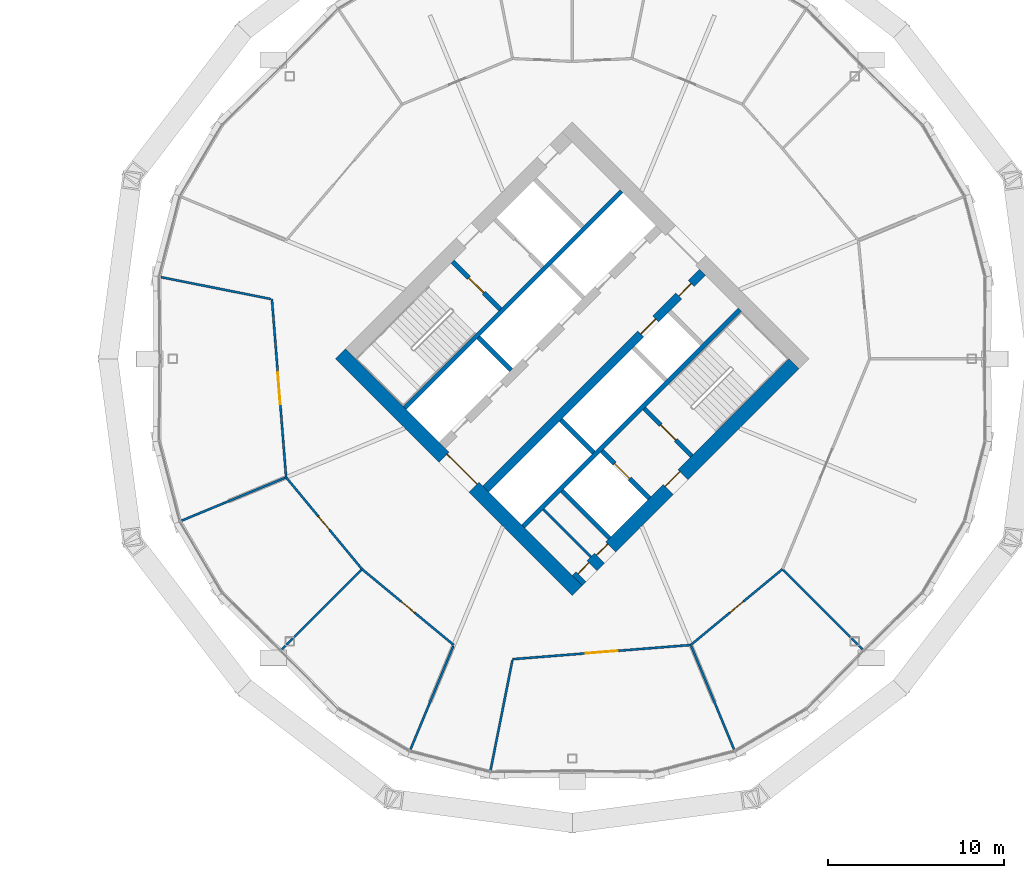
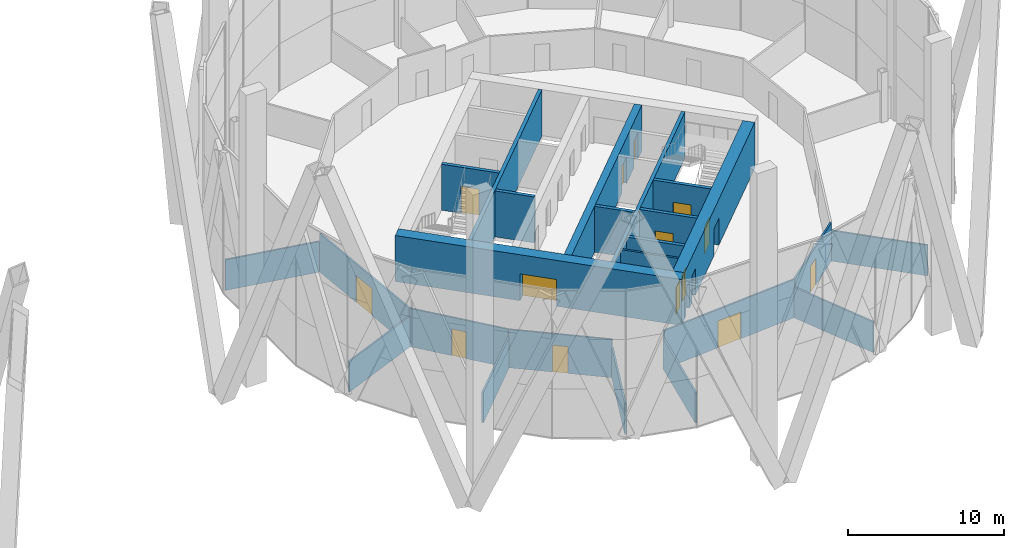
# One storey, part 21 of 26: 24 walls, 14 doors, 14 openings.
"""IFC4 building model written with IfcOpenShell, lengths in metres."""

from ifc_helpers import new_model, si_unit, direction, frame, frame_2d, origin, place, context, subcontext, project, spatial, rectangle, extrude, material, layer, layer_set, type_object, element, fill, save


model = new_model("IFC4")

# Units and contexts
model_context = context("Model", 3, precision=1e-05, world=origin(), true_north=direction((0.0, 1.0)))
body_context = subcontext(model_context, "Body", "Model", "MODEL_VIEW")
ifc_project = project(units=[si_unit("LENGTHUNIT", "METRE"), si_unit("AREAUNIT", "SQUARE_METRE"), si_unit("VOLUMEUNIT", "CUBIC_METRE"), si_unit("PLANEANGLEUNIT", "RADIAN"), si_unit("MASSUNIT", "GRAM", prefix="KILO")], contexts=[model_context])

# Site, building, storey
site_placement = place(None, origin())
site = spatial("IfcSite", under=ifc_project, at=site_placement, CompositionType="ELEMENT")
building_placement = place(site_placement, origin())
building = spatial("IfcBuilding", under=site, at=building_placement, Name="Ogive Gate Towers", CompositionType="ELEMENT")
storey_placement = place(building_placement, frame((0.0, 0.0, 76.199951171875)))
storey = spatial("IfcBuildingStorey", under=building, at=storey_placement, Name="L17", CompositionType="ELEMENT", Elevation=76.199951171875)

# Wall, openings, doors
ifc_material_1 = material(Name="Concrete C60/75", Category="concrete")
ifc_layer_1 = layer(ifc_material_1, 0.800048828125)
ifc_layer_set_1 = layer_set([ifc_layer_1], Name="Core wall 800 mm")
wall_type_1 = type_object("IfcWallType", Name="Core wall 800 mm", PredefinedType="SHEAR", material=ifc_layer_set_1)
wall_1_placement = place(storey_placement, frame((36.28271484375, -12.58642578125, 0.0), z_axis=(0.0, 0.0, 1.0), x_axis=(0.707106781187, 0.707106781187, 0.0)))
wall_1 = element("IfcWall", 1, at=wall_1_placement, inside=storey, type_object=wall_type_1, Name="T2 L17 Core wall 800 mm", PredefinedType="SHEAR", context=body_context, shape_type="SweptSolid", body=[
    extrude(rectangle(XDim=17.400146484375, YDim=0.800048828125, at=frame_2d((8.7001953125, 0.0))), origin(), (0.0, 0.0, 1.0), 3.60009765625),
])
opening_1_placement = place(wall_1_placement, frame((7.300048828125, 0.0, 0.0)))
opening_1 = element("IfcOpeningElement", 2, at=opening_1_placement, cuts=wall_1, Name="Opening KD-T2-L17-16", PredefinedType="OPENING", context=body_context, shape_type="SweptSolid", body=[
    extrude(rectangle(XDim=1.199951171875, YDim=2.10009765625, at=frame_2d((0.60009765625, 1.050048828125))), frame((0.0, 0.41015625, 0.0), z_axis=(0.0, -1.0, 0.0), x_axis=(1.0, 0.0, 0.0)), (0.0, 0.0, 1.0), 0.820068359375),
])
opening_2_placement = place(wall_1_placement, frame((0.300048828125, 0.0, 0.0)))
opening_2 = element("IfcOpeningElement", 3, at=opening_2_placement, cuts=wall_1, Name="Opening KD-T2-L17-18", PredefinedType="OPENING", context=body_context, shape_type="SweptSolid", body=[
    extrude(rectangle(XDim=0.89990234375, YDim=2.10009765625, at=frame_2d((0.449951171875, 1.050048828125))), frame((0.0, 0.41015625, 0.0), z_axis=(0.0, -1.0, 0.0), x_axis=(1.0, 0.0, 0.0)), (0.0, 0.0, 1.0), 0.820068359375),
])
opening_3_placement = place(wall_1_placement, frame((1.800048828125, 0.0, 0.0)))
opening_3 = element("IfcOpeningElement", 4, at=opening_3_placement, cuts=wall_1, Name="Opening KD-T2-L17-19", PredefinedType="OPENING", context=body_context, shape_type="SweptSolid", body=[
    extrude(rectangle(XDim=0.89990234375, YDim=2.10009765625, at=frame_2d((0.449951171875, 1.050048828125))), frame((0.0, 0.41015625, 0.0), z_axis=(0.0, -1.0, 0.0), x_axis=(1.0, 0.0, 0.0)), (0.0, 0.0, 1.0), 0.820068359375),
])
ifc_material_2 = material(Name="Timber door", Category="wood")
door_type_1 = type_object("IfcDoorType", Name="Core WC door 900 x 2100", OperationType="NOTDEFINED", PredefinedType="DOOR", material=ifc_material_2)
door_1_placement = place(opening_2_placement, origin())
door_1 = element("IfcDoor", 5, at=door_1_placement, inside=storey, type_object=door_type_1, Name="T2 L17 Core door", OperationType="SINGLE_SWING_LEFT", OverallHeight=2.10009765625, OverallWidth=0.89990234375, PredefinedType="DOOR", context=body_context, shape_type="SweptSolid", body=[
    extrude(rectangle(XDim=0.89990234375, YDim=2.10009765625, at=frame_2d((0.449951171875, 1.050048828125))), frame((0.0, 0.27490234375, 0.0), z_axis=(0.0, -1.0, 0.0), x_axis=(1.0, 0.0, 0.0)), (0.0, 0.0, 1.0), 0.050048828125),
])
fill(opening_2, door_1)
door_2_placement = place(opening_3_placement, origin())
door_2 = element("IfcDoor", 6, at=door_2_placement, inside=storey, type_object=door_type_1, Name="T2 L17 Core door", OperationType="SINGLE_SWING_RIGHT", OverallHeight=2.10009765625, OverallWidth=0.89990234375, PredefinedType="DOOR", context=body_context, shape_type="SweptSolid", body=[
    extrude(rectangle(XDim=0.89990234375, YDim=2.10009765625, at=frame_2d((0.449951171875, 1.050048828125))), frame((0.0, 0.27490234375, 0.0), z_axis=(0.0, -1.0, 0.0), x_axis=(1.0, 0.0, 0.0)), (0.0, 0.0, 1.0), 0.050048828125),
])
fill(opening_3, door_2)
ifc_material_3 = material(Name="Steel fire door", Category="steel")
door_type_2 = type_object("IfcDoorType", Name="Core door FD60S 1200 x 2100", OperationType="NOTDEFINED", PredefinedType="DOOR", material=ifc_material_3)
door_3_placement = place(opening_1_placement, origin())
door_3 = element("IfcDoor", 7, at=door_3_placement, inside=storey, type_object=door_type_2, Name="T2 L17 Fire-fighting lobby door", OperationType="SINGLE_SWING_LEFT", OverallHeight=2.10009765625, OverallWidth=1.199951171875, PredefinedType="DOOR", context=body_context, shape_type="SweptSolid", body=[
    extrude(rectangle(XDim=1.199951171875, YDim=2.10009765625, at=frame_2d((0.60009765625, 1.050048828125))), frame((0.0, 0.27490234375, 0.0), z_axis=(0.0, -1.0, 0.0), x_axis=(1.0, 0.0, 0.0)), (0.0, 0.0, 1.0), 0.050048828125),
])
fill(opening_1, door_3)

# Wall, opening, door
wall_2_placement = place(storey_placement, frame((36.28271484375, -13.152099609375, 0.0), z_axis=(0.0, 0.0, 1.0), x_axis=(-0.707106781187, 0.707106781187, 0.0)))
wall_2 = element("IfcWall", 8, at=wall_2_placement, inside=storey, type_object=wall_type_1, Name="T2 L17 Core wall 800 mm", PredefinedType="SHEAR", context=body_context, shape_type="SweptSolid", body=[
    extrude(rectangle(XDim=18.999755859375, YDim=0.800048828125, at=frame_2d((9.5, 0.0))), origin(), (0.0, 0.0, 1.0), 3.60009765625),
])
opening_4_placement = place(wall_2_placement, frame((8.300048828125, 0.0, 0.0)))
opening_4 = element("IfcOpeningElement", 9, at=opening_4_placement, cuts=wall_2, Name="Opening KD-T2-L17-01", PredefinedType="OPENING", context=body_context, shape_type="SweptSolid", body=[
    extrude(rectangle(XDim=2.39990234375, YDim=2.10009765625, at=frame_2d((1.199951171875, 1.050048828125))), frame((0.0, 0.41015625, 0.0), z_axis=(0.0, -1.0, 0.0), x_axis=(1.0, 0.0, 0.0)), (0.0, 0.0, 1.0), 0.820068359375),
])
door_type_3 = type_object("IfcDoorType", Name="Core double door FD60S 2400 x 2100", OperationType="DOUBLE_DOOR_SINGLE_SWING", PredefinedType="DOOR", material=ifc_material_3)
door_4_placement = place(opening_4_placement, origin())
door_4 = element("IfcDoor", 10, at=door_4_placement, inside=storey, type_object=door_type_3, Name="T2 L17 Core door double", OperationType="DOUBLE_DOOR_SINGLE_SWING", OverallHeight=2.10009765625, OverallWidth=2.39990234375, PredefinedType="DOOR", context=body_context, shape_type="SweptSolid", body=[
    extrude(rectangle(XDim=2.39990234375, YDim=2.10009765625, at=frame_2d((1.199951171875, 1.050048828125))), frame((0.0, -0.22509765625, 0.0), z_axis=(0.0, -1.0, 0.0), x_axis=(1.0, 0.0, 0.0)), (0.0, 0.0, 1.0), 0.050048828125),
])
fill(opening_4, door_4)

# Walls
ifc_material_4 = material(Name="Gypsum board partition")
ifc_layer_2 = layer(ifc_material_4, 0.125)
ifc_layer_set_2 = layer_set([ifc_layer_2], Name="Partition 125")
wall_type_2 = type_object("IfcWallType", Name="Partition 125", PredefinedType="PARTITIONING", material=ifc_layer_set_2)
wall_3_placement = place(storey_placement, frame((12.65625, 4.6357421875, 0.0), z_axis=(0.0, 0.0, 1.0), x_axis=(0.980845288953, -0.1947883958, 0.0)))
element("IfcWall", 11, at=wall_3_placement, inside=storey, type_object=wall_type_2, Name="Partition T2-L17-010", PredefinedType="PARTITIONING", context=body_context, shape_type="SweptSolid", body=[
    extrude(rectangle(XDim=6.36572265625, YDim=0.125, at=frame_2d((3.182861328125, 0.0))), origin(), (0.0, 0.0, 1.0), 2.400146484375),
])
for number, where, z_axis, x_axis, name in (
    (12, (13.826904296875, -9.184326171875, 0.0), (0.0, 0.0, 1.0), (0.923885020089, 0.382670183912, 0.0), "Partition T2-L17-011"),
    (13, (19.525146484375, -16.474853515625, 0.0), (0.0, 0.0, 1.0), (0.707106781187, 0.707106781187, 0.0), "Partition T2-L17-012"),
    (14, (26.815673828125, -22.173095703125, 0.0), (0.0, 0.0, 1.0), (0.382670183912, 0.923885020089, 0.0), "Partition T2-L17-013"),
):
    element("IfcWall", number, at=place(storey_placement, frame(where, z_axis=z_axis, x_axis=x_axis)), inside=storey, type_object=wall_type_2, Name=name, PredefinedType="PARTITIONING", context=body_context, shape_type="SweptSolid", body=[
        extrude(rectangle(XDim=6.365966796875, YDim=0.125, at=frame_2d((3.18310546875, 0.0))), origin(), (0.0, 0.0, 1.0), 2.400146484375),
    ])
wall_4_placement = place(storey_placement, frame((31.3642578125, -23.34375, 0.0), z_axis=(0.0, 0.0, 1.0), x_axis=(0.1947883958, 0.980845288953, 0.0)))
element("IfcWall", 15, at=wall_4_placement, inside=storey, type_object=wall_type_2, Name="Partition T2-L17-014", PredefinedType="PARTITIONING", context=body_context, shape_type="SweptSolid", body=[
    extrude(rectangle(XDim=6.36572265625, YDim=0.125, at=frame_2d((3.182861328125, 0.0))), origin(), (0.0, 0.0, 1.0), 2.400146484375),
])
for number, where, z_axis, x_axis, name in (
    (16, (45.184326171875, -22.173095703125, 0.0), (0.0, 0.0, 1.0), (-0.382670183912, 0.923885020089, 0.0), "Partition T2-L17-015"),
    (17, (52.474853515625, -16.474853515625, 0.0), (0.0, 0.0, 1.0), (-0.707106781187, 0.707106781187, 0.0), "Partition T2-L17-016"),
):
    element("IfcWall", number, at=place(storey_placement, frame(where, z_axis=z_axis, x_axis=x_axis)), inside=storey, type_object=wall_type_2, Name=name, PredefinedType="PARTITIONING", context=body_context, shape_type="SweptSolid", body=[
        extrude(rectangle(XDim=6.365966796875, YDim=0.125, at=frame_2d((3.18310546875, 0.0))), origin(), (0.0, 0.0, 1.0), 2.400146484375),
    ])

# Wall, opening, door
wall_5_placement = place(storey_placement, frame((18.96142578125, 3.383544921875, 0.0), z_axis=(0.0, 0.0, 1.0), x_axis=(0.079358602321, -0.996846132679, 0.0)))
wall_5 = element("IfcWall", 18, at=wall_5_placement, inside=storey, type_object=wall_type_2, Name="Partition T2-L17-017", PredefinedType="PARTITIONING", context=body_context, shape_type="SweptSolid", body=[
    extrude(rectangle(XDim=10.139892578125, YDim=0.125, at=frame_2d((5.06982421875, 0.0))), origin(), (0.0, 0.0, 1.0), 3.0),
])
opening_5_placement = place(wall_5_placement, frame((4.169921875, 0.0, 0.0)))
opening_5 = element("IfcOpeningElement", 19, at=opening_5_placement, cuts=wall_5, Name="Opening T2-L17-D01", PredefinedType="OPENING", context=body_context, shape_type="SweptSolid", body=[
    extrude(rectangle(XDim=1.800048828125, YDim=2.10009765625, at=frame_2d((0.89990234375, 1.050048828125))), frame((0.0, 0.072509765625, 0.0), z_axis=(0.0, -1.0, 0.0), x_axis=(1.0, 0.0, 0.0)), (0.0, 0.0, 1.0), 0.14501953125),
])
door_type_4 = type_object("IfcDoorType", Name="Door pair 1800", OperationType="NOTDEFINED", PredefinedType="DOOR", material=ifc_material_2)
door_5_placement = place(opening_5_placement, origin())
door_5 = element("IfcDoor", 20, at=door_5_placement, inside=storey, type_object=door_type_4, Name="Door T2-L17-D01", OperationType="DOUBLE_DOOR_DOUBLE_SWING", OverallHeight=2.10009765625, OverallWidth=1.800048828125, PredefinedType="DOOR", context=body_context, shape_type="SweptSolid", body=[
    extrude(rectangle(XDim=1.800048828125, YDim=2.10009765625, at=frame_2d((0.89990234375, 1.050048828125))), frame((0.0, 0.02490234375, 0.0), z_axis=(0.0, -1.0, 0.0), x_axis=(1.0, 0.0, 0.0)), (0.0, 0.0, 1.0), 0.050048828125),
])
fill(opening_5, door_5)

wall_6_placement = place(storey_placement, frame((19.76611328125, -6.724365234375, 0.0), z_axis=(0.0, 0.0, 1.0), x_axis=(0.63732504297, -0.77059508797, 0.0)))
wall_6 = element("IfcWall", 21, at=wall_6_placement, inside=storey, type_object=wall_type_2, Name="Partition T2-L17-018", PredefinedType="PARTITIONING", context=body_context, shape_type="SweptSolid", body=[
    extrude(rectangle(XDim=6.75439453125, YDim=0.125, at=frame_2d((3.377197265625, 0.0))), origin(), (0.0, 0.0, 1.0), 3.0),
])
opening_6_placement = place(wall_6_placement, frame((2.876953125, 0.0, 0.0)))
opening_6 = element("IfcOpeningElement", 22, at=opening_6_placement, cuts=wall_6, Name="Opening T2-L17-D02", PredefinedType="OPENING", context=body_context, shape_type="SweptSolid", body=[
    extrude(rectangle(XDim=1.0, YDim=2.10009765625, at=frame_2d((0.5, 1.050048828125))), frame((0.0, 0.072509765625, 0.0), z_axis=(0.0, -1.0, 0.0), x_axis=(1.0, 0.0, 0.0)), (0.0, 0.0, 1.0), 0.14501953125),
])
door_type_5 = type_object("IfcDoorType", Name="Door 1000", OperationType="NOTDEFINED", PredefinedType="DOOR", material=ifc_material_2)
door_6_placement = place(opening_6_placement, origin())
door_6 = element("IfcDoor", 23, at=door_6_placement, inside=storey, type_object=door_type_5, Name="Door T2-L17-D02", OperationType="SINGLE_SWING_LEFT", OverallHeight=2.10009765625, OverallWidth=1.0, PredefinedType="DOOR", context=body_context, shape_type="SweptSolid", body=[
    extrude(rectangle(XDim=1.0, YDim=2.10009765625, at=frame_2d((0.5, 1.050048828125))), frame((0.0, 0.02490234375, 0.0), z_axis=(0.0, -1.0, 0.0), x_axis=(1.0, 0.0, 0.0)), (0.0, 0.0, 1.0), 0.050048828125),
])
fill(opening_6, door_6)

wall_7_placement = place(storey_placement, frame((24.07080078125, -11.92919921875, 0.0), z_axis=(0.0, 0.0, 1.0), x_axis=(0.77059508797, -0.63732504297, 0.0)))
wall_7 = element("IfcWall", 24, at=wall_7_placement, inside=storey, type_object=wall_type_2, Name="Partition T2-L17-019", PredefinedType="PARTITIONING", context=body_context, shape_type="SweptSolid", body=[
    extrude(rectangle(XDim=6.75439453125, YDim=0.125, at=frame_2d((3.377197265625, 0.0))), origin(), (0.0, 0.0, 1.0), 3.0),
])
opening_7_placement = place(wall_7_placement, frame((2.876953125, 0.0, 0.0)))
opening_7 = element("IfcOpeningElement", 25, at=opening_7_placement, cuts=wall_7, Name="Opening T2-L17-D03", PredefinedType="OPENING", context=body_context, shape_type="SweptSolid", body=[
    extrude(rectangle(XDim=1.0, YDim=2.10009765625, at=frame_2d((0.5, 1.050048828125))), frame((0.0, 0.072509765625, 0.0), z_axis=(0.0, -1.0, 0.0), x_axis=(1.0, 0.0, 0.0)), (0.0, 0.0, 1.0), 0.14501953125),
])
door_7_placement = place(opening_7_placement, origin())
door_7 = element("IfcDoor", 26, at=door_7_placement, inside=storey, type_object=door_type_5, Name="Door T2-L17-D03", OperationType="SINGLE_SWING_LEFT", OverallHeight=2.10009765625, OverallWidth=1.0, PredefinedType="DOOR", context=body_context, shape_type="SweptSolid", body=[
    extrude(rectangle(XDim=1.0, YDim=2.10009765625, at=frame_2d((0.5, 1.050048828125))), frame((0.0, 0.02490234375, 0.0), z_axis=(0.0, -1.0, 0.0), x_axis=(1.0, 0.0, 0.0)), (0.0, 0.0, 1.0), 0.050048828125),
])
fill(opening_7, door_7)

wall_8_placement = place(storey_placement, frame((32.616455078125, -17.03857421875, 0.0), z_axis=(0.0, 0.0, 1.0), x_axis=(0.996846132679, 0.079358602321, 0.0)))
wall_8 = element("IfcWall", 27, at=wall_8_placement, inside=storey, type_object=wall_type_2, Name="Partition T2-L17-020", PredefinedType="PARTITIONING", context=body_context, shape_type="SweptSolid", body=[
    extrude(rectangle(XDim=10.139892578125, YDim=0.125, at=frame_2d((5.06982421875, 0.0))), origin(), (0.0, 0.0, 1.0), 3.0),
])
opening_8_placement = place(wall_8_placement, frame((4.169921875, 0.0, 0.0)))
opening_8 = element("IfcOpeningElement", 28, at=opening_8_placement, cuts=wall_8, Name="Opening T2-L17-D04", PredefinedType="OPENING", context=body_context, shape_type="SweptSolid", body=[
    extrude(rectangle(XDim=1.800048828125, YDim=2.10009765625, at=frame_2d((0.89990234375, 1.050048828125))), frame((0.0, 0.072509765625, 0.0), z_axis=(0.0, -1.0, 0.0), x_axis=(1.0, 0.0, 0.0)), (0.0, 0.0, 1.0), 0.14501953125),
])
door_8_placement = place(opening_8_placement, origin())
door_8 = element("IfcDoor", 29, at=door_8_placement, inside=storey, type_object=door_type_4, Name="Door T2-L17-D04", OperationType="DOUBLE_DOOR_DOUBLE_SWING", OverallHeight=2.10009765625, OverallWidth=1.800048828125, PredefinedType="DOOR", context=body_context, shape_type="SweptSolid", body=[
    extrude(rectangle(XDim=1.800048828125, YDim=2.10009765625, at=frame_2d((0.89990234375, 1.050048828125))), frame((0.0, 0.02490234375, 0.0), z_axis=(0.0, -1.0, 0.0), x_axis=(1.0, 0.0, 0.0)), (0.0, 0.0, 1.0), 0.050048828125),
])
fill(opening_8, door_8)

wall_9_placement = place(storey_placement, frame((42.724365234375, -16.23388671875, 0.0), z_axis=(0.0, 0.0, 1.0), x_axis=(0.77059508797, 0.63732504297, 0.0)))
wall_9 = element("IfcWall", 30, at=wall_9_placement, inside=storey, type_object=wall_type_2, Name="Partition T2-L17-021", PredefinedType="PARTITIONING", context=body_context, shape_type="SweptSolid", body=[
    extrude(rectangle(XDim=6.75439453125, YDim=0.125, at=frame_2d((3.377197265625, 0.0))), origin(), (0.0, 0.0, 1.0), 3.0),
])
opening_9_placement = place(wall_9_placement, frame((2.876953125, 0.0, 0.0)))
opening_9 = element("IfcOpeningElement", 31, at=opening_9_placement, cuts=wall_9, Name="Opening T2-L17-D05", PredefinedType="OPENING", context=body_context, shape_type="SweptSolid", body=[
    extrude(rectangle(XDim=1.0, YDim=2.10009765625, at=frame_2d((0.5, 1.050048828125))), frame((0.0, 0.072509765625, 0.0), z_axis=(0.0, -1.0, 0.0), x_axis=(1.0, 0.0, 0.0)), (0.0, 0.0, 1.0), 0.14501953125),
])
door_9_placement = place(opening_9_placement, origin())
door_9 = element("IfcDoor", 32, at=door_9_placement, inside=storey, type_object=door_type_5, Name="Door T2-L17-D05", OperationType="SINGLE_SWING_RIGHT", OverallHeight=2.10009765625, OverallWidth=1.0, PredefinedType="DOOR", context=body_context, shape_type="SweptSolid", body=[
    extrude(rectangle(XDim=1.0, YDim=2.10009765625, at=frame_2d((0.5, 1.050048828125))), frame((0.0, 0.02490234375, 0.0), z_axis=(0.0, -1.0, 0.0), x_axis=(1.0, 0.0, 0.0)), (0.0, 0.0, 1.0), 0.050048828125),
])
fill(opening_9, door_9)

# Walls
ifc_layer_3 = layer(ifc_material_4, 0.14990234375)
ifc_layer_set_3 = layer_set([ifc_layer_3], Name="Room partition 150 mm")
wall_type_3 = type_object("IfcWallType", Name="Room partition 150 mm", PredefinedType="PARTITIONING", material=ifc_layer_set_3)
wall_10_placement = place(storey_placement, frame((37.060791015625, -11.242919921875, 0.0), z_axis=(0.0, 0.0, 1.0), x_axis=(-0.707138693938, 0.707074866995, 0.0)))
element("IfcWall", 33, at=wall_10_placement, inside=storey, type_object=wall_type_3, Name="T2 L17 Room partition 150 mm", PredefinedType="PARTITIONING", context=body_context, shape_type="SweptSolid", body=[
    extrude(rectangle(XDim=3.824951171875, YDim=0.14990234375, at=frame_2d((1.91259765625, 0.0))), origin(), (0.0, 0.0, 1.0), 3.60009765625),
])
ifc_layer_4 = layer(ifc_material_1, 0.25)
ifc_layer_set_4 = layer_set([ifc_layer_4], Name="Shaft wall 250 mm")
wall_type_4 = type_object("IfcWallType", Name="Shaft wall 250 mm", PredefinedType="SHEAR", material=ifc_layer_set_4)
for number, where, z_axis, x_axis, name in (
    (34, (33.206787109375, -9.510498046875, 0.0), (0.0, 0.0, 1.0), (0.707106781187, 0.707106781187, 0.0), "T2 L17 Shaft wall 250 mm"),
    (35, (26.489501953125, -2.793212890625, 0.0), (0.0, 0.0, 1.0), (0.707106781187, 0.707106781187, 0.0), "T2 L17 Shaft wall 250 mm"),
):
    element("IfcWall", number, at=place(storey_placement, frame(where, z_axis=z_axis, x_axis=x_axis)), inside=storey, type_object=wall_type_4, Name=name, PredefinedType="SHEAR", context=body_context, shape_type="SweptSolid", body=[
        extrude(rectangle(XDim=17.400146484375, YDim=0.25, at=frame_2d((8.7001953125, 0.0))), origin(), (0.0, 0.0, 1.0), 3.60009765625),
    ])
wall_11_placement = place(storey_placement, frame((38.121337890625, -10.182373046875, 0.0), z_axis=(0.0, 0.0, 1.0), x_axis=(-0.707138693938, 0.707074866995, 0.0)))
element("IfcWall", 36, at=wall_11_placement, inside=storey, type_object=wall_type_4, Name="T2 L17 Shaft wall 250 mm", PredefinedType="SHEAR", context=body_context, shape_type="SweptSolid", body=[
    extrude(rectangle(XDim=3.824951171875, YDim=0.25, at=frame_2d((1.91259765625, 0.0))), origin(), (0.0, 0.0, 1.0), 3.60009765625),
])
for number, where, z_axis, x_axis, name in (
    (37, (37.2197265625, -5.321044921875, 0.0), (0.0, 0.0, 1.0), (-0.707106781187, 0.707106781187, 0.0), "T2 L17 Shaft wall 250 mm"),
    (38, (32.53515625, -0.636474609375, 0.0), (0.0, 0.0, 1.0), (-0.707106781187, 0.707106781187, 0.0), "T2 L17 Shaft wall 250 mm"),
):
    element("IfcWall", number, at=place(storey_placement, frame(where, z_axis=z_axis, x_axis=x_axis)), inside=storey, type_object=wall_type_4, Name=name, PredefinedType="SHEAR", context=body_context, shape_type="SweptSolid", body=[
        extrude(rectangle(XDim=2.625, YDim=0.25, at=frame_2d((1.3125, 0.0))), origin(), (0.0, 0.0, 1.0), 3.60009765625),
    ])

# Wall, opening, door
wall_12_placement = place(storey_placement, frame((40.384033203125, -7.919677734375, 0.0), z_axis=(0.0, 0.0, 1.0), x_axis=(-0.707074866995, 0.707138693938, 0.0)))
wall_12 = element("IfcWall", 39, at=wall_12_placement, inside=storey, type_object=wall_type_4, Name="T2 L17 Shaft wall 250 mm", PredefinedType="SHEAR", context=body_context, shape_type="SweptSolid", body=[
    extrude(rectangle(XDim=3.824951171875, YDim=0.25, at=frame_2d((1.91259765625, 0.0))), origin(), (0.0, 0.0, 1.0), 3.60009765625),
])
opening_10_placement = place(wall_12_placement, frame((1.60009765625, 0.0, 0.0)))
opening_10 = element("IfcOpeningElement", 40, at=opening_10_placement, cuts=wall_12, Name="Opening LD-T2-L17-11", PredefinedType="OPENING", context=body_context, shape_type="SweptSolid", body=[
    extrude(rectangle(XDim=1.199951171875, YDim=2.10009765625, at=frame_2d((0.60009765625, 1.050048828125))), frame((0.0, 0.135009765625, 0.0), z_axis=(0.0, -1.0, 0.0), x_axis=(1.0, 0.0, 0.0)), (0.0, 0.0, 1.0), 0.27001953125),
])
ifc_material_5 = material(Name="Stainless steel landing door", Category="steel")
door_type_6 = type_object("IfcDoorType", Name="Landing door 1200 x 2100", OperationType="SLIDING_TO_LEFT", PredefinedType="DOOR", material=ifc_material_5)
door_10_placement = place(opening_10_placement, origin())
door_10 = element("IfcDoor", 41, at=door_10_placement, inside=storey, type_object=door_type_6, Name="T2 L17 Lift landing door FF2", OperationType="SLIDING_TO_LEFT", OverallHeight=2.10009765625, OverallWidth=1.199951171875, PredefinedType="DOOR", context=body_context, shape_type="SweptSolid", body=[
    extrude(rectangle(XDim=1.199951171875, YDim=2.10009765625, at=frame_2d((0.60009765625, 1.050048828125))), frame((0.0, 0.02490234375, 0.0), z_axis=(0.0, -1.0, 0.0), x_axis=(1.0, 0.0, 0.0)), (0.0, 0.0, 1.0), 0.050048828125),
])
fill(opening_10, door_10)

wall_13_placement = place(storey_placement, frame((31.91650390625, 2.810791015625, 0.0), z_axis=(0.0, 0.0, 1.0), x_axis=(-0.707106781187, 0.707106781187, 0.0)))
wall_13 = element("IfcWall", 42, at=wall_13_placement, inside=storey, type_object=wall_type_4, Name="T2 L17 Shaft wall 250 mm", PredefinedType="SHEAR", context=body_context, shape_type="SweptSolid", body=[
    extrude(rectangle(XDim=3.824951171875, YDim=0.25, at=frame_2d((1.91259765625, 0.0))), origin(), (0.0, 0.0, 1.0), 3.60009765625),
])
opening_11_placement = place(wall_13_placement, frame((1.324951171875, 0.0, 0.0)))
opening_11 = element("IfcOpeningElement", 43, at=opening_11_placement, cuts=wall_13, Name="Opening KD-T2-L17-13", PredefinedType="OPENING", context=body_context, shape_type="SweptSolid", body=[
    extrude(rectangle(XDim=1.199951171875, YDim=2.10009765625, at=frame_2d((0.60009765625, 1.050048828125))), frame((0.0, 0.135009765625, 0.0), z_axis=(0.0, -1.0, 0.0), x_axis=(1.0, 0.0, 0.0)), (0.0, 0.0, 1.0), 0.27001953125),
])
door_11_placement = place(opening_11_placement, origin())
door_11 = element("IfcDoor", 44, at=door_11_placement, inside=storey, type_object=door_type_2, Name="T2 L17 Stair door", OperationType="SINGLE_SWING_RIGHT", OverallHeight=2.10009765625, OverallWidth=1.199951171875, PredefinedType="DOOR", context=body_context, shape_type="SweptSolid", body=[
    extrude(rectangle(XDim=1.199951171875, YDim=2.10009765625, at=frame_2d((0.60009765625, 1.050048828125))), frame((0.0, 0.02490234375, 0.0), z_axis=(0.0, -1.0, 0.0), x_axis=(1.0, 0.0, 0.0)), (0.0, 0.0, 1.0), 0.050048828125),
])
fill(opening_11, door_11)

wall_14_placement = place(storey_placement, frame((42.7880859375, -5.515380859375, 0.0), z_axis=(0.0, 0.0, 1.0), x_axis=(-0.707106781187, 0.707106781187, 0.0)))
wall_14 = element("IfcWall", 45, at=wall_14_placement, inside=storey, type_object=wall_type_4, Name="T2 L17 Shaft wall 250 mm", PredefinedType="SHEAR", context=body_context, shape_type="SweptSolid", body=[
    extrude(rectangle(XDim=3.824951171875, YDim=0.25, at=frame_2d((1.91259765625, 0.0))), origin(), (0.0, 0.0, 1.0), 3.60009765625),
])
opening_12_placement = place(wall_14_placement, frame((1.300048828125, 0.0, 0.0)))
opening_12 = element("IfcOpeningElement", 46, at=opening_12_placement, cuts=wall_14, Name="Opening KD-T2-L17-14", PredefinedType="OPENING", context=body_context, shape_type="SweptSolid", body=[
    extrude(rectangle(XDim=1.199951171875, YDim=2.10009765625, at=frame_2d((0.60009765625, 1.050048828125))), frame((0.0, 0.135009765625, 0.0), z_axis=(0.0, -1.0, 0.0), x_axis=(1.0, 0.0, 0.0)), (0.0, 0.0, 1.0), 0.27001953125),
])
door_12_placement = place(opening_12_placement, origin())
door_12 = element("IfcDoor", 47, at=door_12_placement, inside=storey, type_object=door_type_2, Name="T2 L17 Stair door", OperationType="SINGLE_SWING_LEFT", OverallHeight=2.10009765625, OverallWidth=1.199951171875, PredefinedType="DOOR", context=body_context, shape_type="SweptSolid", body=[
    extrude(rectangle(XDim=1.199951171875, YDim=2.10009765625, at=frame_2d((0.60009765625, 1.050048828125))), frame((0.0, 0.02490234375, 0.0), z_axis=(0.0, -1.0, 0.0), x_axis=(1.0, 0.0, 0.0)), (0.0, 0.0, 1.0), 0.050048828125),
])
fill(opening_12, door_12)

# Wall, openings, doors
ifc_layer_5 = layer(ifc_material_1, 0.5)
ifc_layer_set_5 = layer_set([ifc_layer_5], Name="Spine wall 500 mm")
wall_type_5 = type_object("IfcWallType", Name="Spine wall 500 mm", PredefinedType="SHEAR", material=ifc_layer_set_5)
wall_15_placement = place(storey_placement, frame((31.085693359375, -7.389404296875, 0.0), z_axis=(0.0, 0.0, 1.0), x_axis=(0.707106781187, 0.707106781187, 0.0)))
wall_15 = element("IfcWall", 48, at=wall_15_placement, inside=storey, type_object=wall_type_5, Name="T2 L17 Spine wall 500 mm", PredefinedType="SHEAR", context=body_context, shape_type="SweptSolid", body=[
    extrude(rectangle(XDim=17.400146484375, YDim=0.5, at=frame_2d((8.7001953125, 0.0))), origin(), (0.0, 0.0, 1.0), 3.60009765625),
])
opening_13_placement = place(wall_15_placement, frame((12.449951171875, 0.0, 0.0)))
opening_13 = element("IfcOpeningElement", 49, at=opening_13_placement, cuts=wall_15, Name="Opening LD-T2-L17-09", PredefinedType="OPENING", context=body_context, shape_type="SweptSolid", body=[
    extrude(rectangle(XDim=1.199951171875, YDim=2.10009765625, at=frame_2d((0.60009765625, 1.050048828125))), frame((0.0, 0.260009765625, 0.0), z_axis=(0.0, -1.0, 0.0), x_axis=(1.0, 0.0, 0.0)), (0.0, 0.0, 1.0), 0.52001953125),
])
opening_14_placement = place(wall_15_placement, frame((15.5, 0.0, 0.0)))
opening_14 = element("IfcOpeningElement", 50, at=opening_14_placement, cuts=wall_15, Name="Opening KD-T2-L17-12", PredefinedType="OPENING", context=body_context, shape_type="SweptSolid", body=[
    extrude(rectangle(XDim=1.0, YDim=2.10009765625, at=frame_2d((0.5, 1.050048828125))), frame((0.0, 0.260009765625, 0.0), z_axis=(0.0, -1.0, 0.0), x_axis=(1.0, 0.0, 0.0)), (0.0, 0.0, 1.0), 0.52001953125),
])
door_type_7 = type_object("IfcDoorType", Name="Core door FD60S 1000 x 2100", OperationType="NOTDEFINED", PredefinedType="DOOR", material=ifc_material_3)
door_13_placement = place(opening_14_placement, origin())
door_13 = element("IfcDoor", 51, at=door_13_placement, inside=storey, type_object=door_type_7, Name="T2 L17 Core door", OperationType="SINGLE_SWING_LEFT", OverallHeight=2.10009765625, OverallWidth=1.0, PredefinedType="DOOR", context=body_context, shape_type="SweptSolid", body=[
    extrude(rectangle(XDim=1.0, YDim=2.10009765625, at=frame_2d((0.5, 1.050048828125))), frame((0.0, 0.02490234375, 0.0), z_axis=(0.0, -1.0, 0.0), x_axis=(1.0, 0.0, 0.0)), (0.0, 0.0, 1.0), 0.050048828125),
])
fill(opening_14, door_13)
door_14_placement = place(opening_13_placement, origin())
door_14 = element("IfcDoor", 52, at=door_14_placement, inside=storey, type_object=door_type_6, Name="T2 L17 Lift landing door SVC", OperationType="SLIDING_TO_LEFT", OverallHeight=2.10009765625, OverallWidth=1.199951171875, PredefinedType="DOOR", context=body_context, shape_type="SweptSolid", body=[
    extrude(rectangle(XDim=1.199951171875, YDim=2.10009765625, at=frame_2d((0.60009765625, 1.050048828125))), frame((0.0, 0.02490234375, 0.0), z_axis=(0.0, -1.0, 0.0), x_axis=(1.0, 0.0, 0.0)), (0.0, 0.0, 1.0), 0.050048828125),
])
fill(opening_13, door_14)

save(model, "model.ifc")
